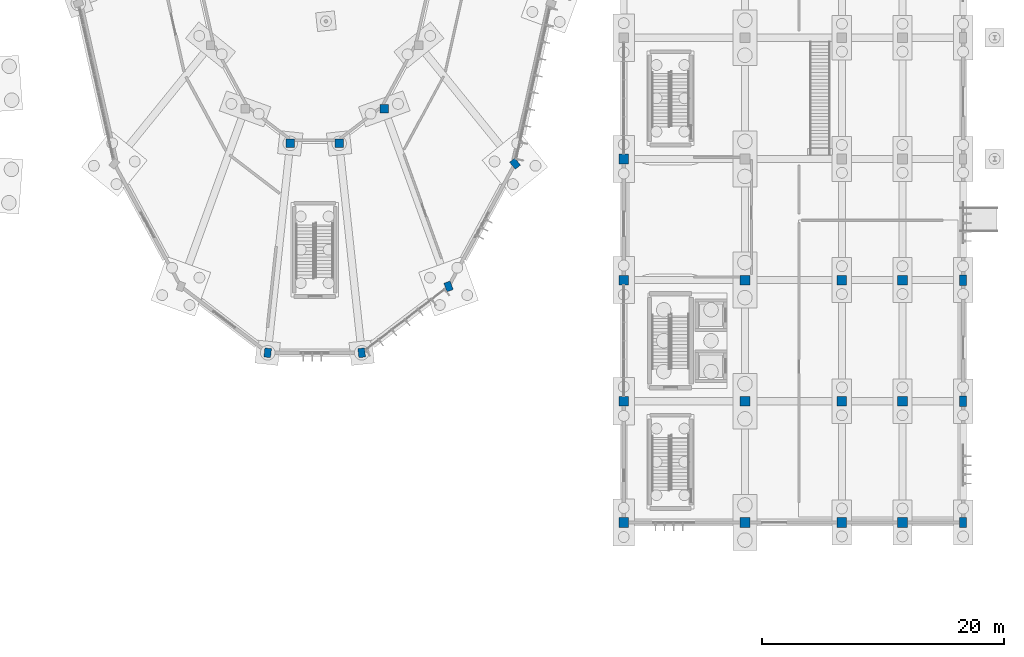
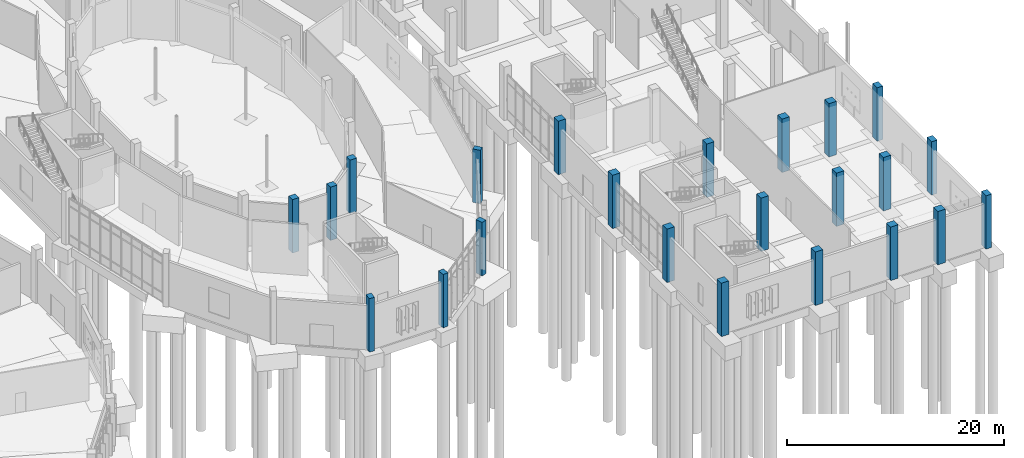
# One storey, part 22 of 140: 23 columns.
"""IFC4 building model written with IfcOpenShell, lengths in metres."""

from ifc_helpers import new_model, si_unit, direction, frame, origin, origin_2d, place, context, subcontext, project, spatial, rectangle, extrude, material, material_profile, profile_set, type_object, element, save


model = new_model("IFC4")

# Units and contexts
model_context = context("Model", 3, precision=1e-05, world=origin(), true_north=direction((0.0, 1.0)))
body_context = subcontext(model_context, "Body", "Model", "MODEL_VIEW")
ifc_project = project(units=[si_unit("LENGTHUNIT", "METRE"), si_unit("AREAUNIT", "SQUARE_METRE"), si_unit("VOLUMEUNIT", "CUBIC_METRE"), si_unit("PLANEANGLEUNIT", "RADIAN"), si_unit("MASSUNIT", "GRAM", prefix="KILO")], contexts=[model_context])

# Site, building, storey
site_placement = place(None, origin())
site = spatial("IfcSite", under=ifc_project, at=site_placement, CompositionType="ELEMENT")
building_placement = place(site_placement, origin())
building = spatial("IfcBuilding", under=site, at=building_placement, Name="Corvandel Quay Wholesale Market", CompositionType="ELEMENT")
storey_placement = place(building_placement, origin())
storey = spatial("IfcBuildingStorey", under=building, at=storey_placement, Name="L00", CompositionType="ELEMENT", Elevation=0.0)

# Columns
ifc_material = material(Name="Precast concrete C45/55", Category="concrete")
ifc_material_profile_1 = material_profile(ifc_material, rectangle(XDim=0.60009765625, YDim=0.85009765625, at=origin_2d()), Name="PC-COL-600x850")
ifc_profile_set_1 = profile_set([ifc_material_profile_1], Name="Precast concrete C45/55")
column_type_1 = type_object("IfcColumnType", Name="Colonnade Pier C08 600x850", PredefinedType="COLUMN", material=ifc_profile_set_1)
for number, where, z_axis, x_axis, name in (
    (1, (248.0, 10.0, 0.0), (0.0, 0.0, 1.0), (1.0, 0.0, 0.0), "Column COL-0922"),
    (2, (248.0, 20.0, 0.0), (0.0, 0.0, 1.0), (1.0, 0.0, 0.0), "Column COL-0924"),
    (3, (248.0, 30.0, 0.0), (0.0, 0.0, 1.0), (1.0, 0.0, 0.0), "Column COL-0926"),
):
    element("IfcColumn", number, at=place(storey_placement, frame(where, z_axis=z_axis, x_axis=x_axis)), inside=storey, type_object=column_type_1, Name=name, PredefinedType="COLUMN", context=body_context, shape_type="SweptSolid", body=[
        extrude(rectangle(XDim=0.60009765625, YDim=0.85009765625, at=origin_2d()), origin(), (0.0, 0.0, 1.0), 6.0),
    ])
ifc_material_profile_2 = material_profile(ifc_material, rectangle(XDim=0.550048828125, YDim=0.75, at=origin_2d()), Name="PC-COL-550x750")
ifc_profile_set_2 = profile_set([ifc_material_profile_2], Name="Precast concrete C45/55")
column_type_2 = type_object("IfcColumnType", Name="Pavilion Pier C09 550x750", PredefinedType="COLUMN", material=ifc_profile_set_2)
for number, where, z_axis, x_axis, name in (
    (4, (190.62109375, 24.0, 0.0), (0.0, 0.0, 1.0), (-0.994244832633, 0.107131754314, 0.0), "Column COL-0548"),
    (5, (198.37890625, 24.0, 0.0), (0.0, 0.0, 1.0), (0.994244832633, 0.107131754314, 0.0), "Column COL-0554"),
    (6, (205.5458984375, 29.48095703125, 0.0), (0.0, 0.0, 1.0), (0.94028812701, 0.340379550213, 0.0), "Column COL-0561"),
    (7, (211.031005859375, 39.60791015625, 0.0), (0.0, 0.0, 1.0), (0.776816343556, 0.629727217439, 0.0), "Column COL-0567"),
):
    element("IfcColumn", number, at=place(storey_placement, frame(where, z_axis=z_axis, x_axis=x_axis)), inside=storey, type_object=column_type_2, Name=name, PredefinedType="COLUMN", context=body_context, shape_type="SweptSolid", body=[
        extrude(rectangle(XDim=0.550048828125, YDim=0.75, at=origin_2d()), origin(), (0.0, 0.0, 1.0), 6.0),
    ])
ifc_material_profile_3 = material_profile(ifc_material, rectangle(XDim=0.800048828125, YDim=0.800048828125, at=origin_2d()), Name="PC-COL-800x800")
ifc_profile_set_3 = profile_set([ifc_material_profile_3], Name="Precast concrete C45/55")
column_type_3 = type_object("IfcColumnType", Name="Precast Column C02 800x800", PredefinedType="COLUMN", material=ifc_profile_set_3)
for number, where, z_axis, x_axis, name in (
    (8, (220.0, 10.0, 0.0), (0.0, 0.0, 1.0), (1.0, 0.0, 0.0), "Column COL-0771"),
    (9, (220.0, 20.0, 0.0), (0.0, 0.0, 1.0), (1.0, 0.0, 0.0), "Column COL-0775"),
    (10, (220.0, 30.0, 0.0), (0.0, 0.0, 1.0), (1.0, 0.0, 0.0), "Column COL-0779"),
    (11, (220.0, 40.0, 0.0), (0.0, 0.0, 1.0), (1.0, 0.0, 0.0), "Column COL-0783"),
    (12, (230.0, 10.0, 0.0), (0.0, 0.0, 1.0), (1.0, 0.0, 0.0), "Column COL-0811"),
    (13, (230.0, 20.0, 0.0), (0.0, 0.0, 1.0), (1.0, 0.0, 0.0), "Column COL-0815"),
    (14, (230.0, 30.0, 0.0), (0.0, 0.0, 1.0), (1.0, 0.0, 0.0), "Column COL-0819"),
    (15, (238.0, 10.0, 0.0), (0.0, 0.0, 1.0), (1.0, 0.0, 0.0), "Column COL-0851"),
    (16, (238.0, 20.0, 0.0), (0.0, 0.0, 1.0), (1.0, 0.0, 0.0), "Column COL-0855"),
    (17, (238.0, 30.0, 0.0), (0.0, 0.0, 1.0), (1.0, 0.0, 0.0), "Column COL-0859"),
    (18, (243.0, 10.0, 0.0), (0.0, 0.0, 1.0), (1.0, 0.0, 0.0), "Column COL-0891"),
    (19, (243.0, 20.0, 0.0), (0.0, 0.0, 1.0), (1.0, 0.0, 0.0), "Column COL-0894"),
    (20, (243.0, 30.0, 0.0), (0.0, 0.0, 1.0), (1.0, 0.0, 0.0), "Column COL-0897"),
):
    element("IfcColumn", number, at=place(storey_placement, frame(where, z_axis=z_axis, x_axis=x_axis)), inside=storey, type_object=column_type_3, Name=name, PredefinedType="COLUMN", context=body_context, shape_type="SweptSolid", body=[
        extrude(rectangle(XDim=0.800048828125, YDim=0.800048828125, at=origin_2d()), origin(), (0.0, 0.0, 1.0), 6.0),
    ])
ifc_material_profile_4 = material_profile(ifc_material, rectangle(XDim=0.699951171875, YDim=0.699951171875, at=origin_2d()), Name="PC-COL-700x700")
ifc_profile_set_4 = profile_set([ifc_material_profile_4], Name="Precast concrete C45/55")
column_type_4 = type_object("IfcColumnType", Name="Precast Column C04 700x700", PredefinedType="COLUMN", material=ifc_profile_set_4)
for number, where, z_axis, x_axis, name in (
    (21, (192.48291015625, 41.280029296875, 0.0), (0.0, 0.0, 1.0), (1.0, 0.0, 0.0), "Column COL-0551"),
    (22, (196.51708984375, 41.280029296875, 0.0), (0.0, 0.0, 1.0), (1.0, 0.0, 0.0), "Column COL-0557"),
    (23, (200.243896484375, 44.1298828125, 0.0), (0.0, 0.0, 1.0), (1.0, 0.0, 0.0), "Column COL-0564"),
):
    element("IfcColumn", number, at=place(storey_placement, frame(where, z_axis=z_axis, x_axis=x_axis)), inside=storey, type_object=column_type_4, Name=name, PredefinedType="COLUMN", context=body_context, shape_type="SweptSolid", body=[
        extrude(rectangle(XDim=0.699951171875, YDim=0.699951171875, at=origin_2d()), origin(), (0.0, 0.0, 1.0), 6.0),
    ])

save(model, "model.ifc")
